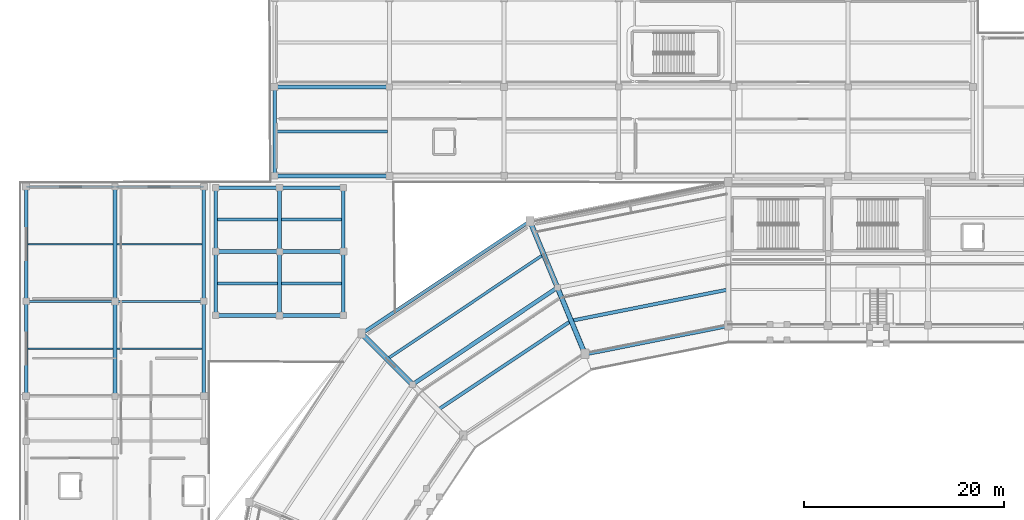
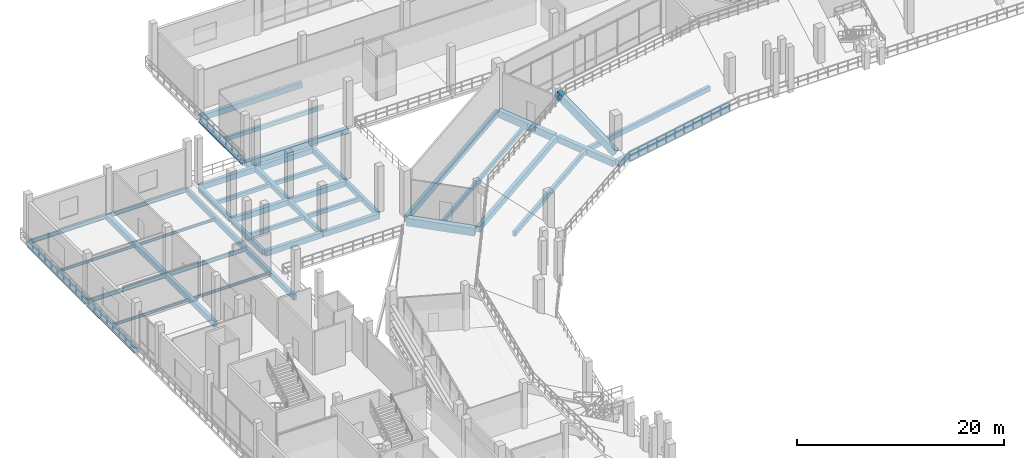
# One storey, part 46 of 127: 44 beams.
"""IFC4 building model written with IfcOpenShell, lengths in metres."""

from ifc_helpers import new_model, si_unit, direction, frame, origin, origin_2d, place, context, subcontext, project, spatial, rectangle, i_section, extrude, material, material_profile, profile_set, type_object, element, save


model = new_model("IFC4")

# Units and contexts
model_context = context("Model", 3, precision=1e-05, world=origin(), true_north=direction((0.0, 1.0)))
body_context = subcontext(model_context, "Body", "Model", "MODEL_VIEW")
ifc_project = project(units=[si_unit("LENGTHUNIT", "METRE"), si_unit("AREAUNIT", "SQUARE_METRE"), si_unit("VOLUMEUNIT", "CUBIC_METRE"), si_unit("PLANEANGLEUNIT", "RADIAN"), si_unit("MASSUNIT", "GRAM", prefix="KILO")], contexts=[model_context])

# Site, building, storey
site_placement = place(None, origin())
site = spatial("IfcSite", under=ifc_project, at=site_placement, CompositionType="ELEMENT")
building_placement = place(site_placement, origin())
building = spatial("IfcBuilding", under=site, at=building_placement, Name="Candeia Ridge Stadium", CompositionType="ELEMENT")
storey_placement = place(building_placement, frame((0.0, 0.0, 10.800048828125)))
storey = spatial("IfcBuildingStorey", under=building, at=storey_placement, Name="L02", CompositionType="ELEMENT", Elevation=10.800048828125)

# Beams
ifc_material_1 = material(Name="Concrete C45/55", Category="concrete")
ifc_material_profile_1 = material_profile(ifc_material_1, rectangle(XDim=0.5, YDim=0.89990234375, at=origin_2d()), Name="RC500x900", Category="concrete")
ifc_profile_set_1 = profile_set([ifc_material_profile_1], Name="Concrete C45/55")
beam_type_1 = type_object("IfcBeamType", Name="Club Stand Raker Beam RC500x900", PredefinedType="USERDEFINED", material=ifc_profile_set_1)
beam_1_placement = place(storey_placement, frame((56.611083984375, 129.73779296875, 0.624267578125), z_axis=(-0.332646014247, 0.80308399346, 0.494371043502), x_axis=(-0.923880454805, -0.382681205745, 0.0)))
element("IfcBeam", 1, at=beam_1_placement, inside=storey, type_object=beam_type_1, Name="Stand T2 inclined concrete raker beam 09", ObjectType="RAKER", PredefinedType="USERDEFINED", context=body_context, shape_type="SweptSolid", body=[
    extrude(rectangle(XDim=0.5, YDim=0.89990234375, at=origin_2d()), origin(), (0.0, 0.0, 1.0), 8.283203125),
])
ifc_material_2 = material(Name="Concrete C40/50", Category="concrete")
ifc_material_profile_2 = material_profile(ifc_material_2, rectangle(XDim=0.35009765625, YDim=0.550048828125, at=origin_2d()), Name="RC350x550", Category="concrete")
ifc_profile_set_2 = profile_set([ifc_material_profile_2], Name="Concrete C40/50")
beam_type_2 = type_object("IfcBeamType", Name="Concourse Concrete Joist RC350x550", PredefinedType="JOIST", material=ifc_profile_set_2)
beam_2_placement = place(storey_placement, frame((70.7822265625, 136.15673828125, -0.53515625), z_axis=(-0.980784984607, -0.195091809076, 0.0), x_axis=(0.195091809076, -0.980784984607, 0.0)))
element("IfcBeam", 2, at=beam_2_placement, inside=storey, type_object=beam_type_2, Name="Concourse secondary joist BM-L02-0346", PredefinedType="JOIST", context=body_context, shape_type="SweptSolid", body=[
    extrude(rectangle(XDim=0.35009765625, YDim=0.550048828125, at=origin_2d()), origin(), (0.0, 0.0, 1.0), 15.63134765625),
])
ifc_material_profile_3 = material_profile(ifc_material_2, rectangle(XDim=0.2900390625, YDim=0.469970703125, at=origin_2d()), Name="RC290x470", Category="concrete")
ifc_profile_set_3 = profile_set([ifc_material_profile_3], Name="Concrete C40/50")
beam_type_3 = type_object("IfcBeamType", Name="Floor Joist RC290x470", PredefinedType="JOIST", material=ifc_profile_set_3)
beam_3_placement = place(storey_placement, frame((52.29345703125, 139.592529296875, -0.4951171875), z_axis=(-0.831467306639, -0.555573683674, 0.0), x_axis=(0.555573683674, -0.831467306639, 0.0)))
element("IfcBeam", 3, at=beam_3_placement, inside=storey, type_object=beam_type_3, Name="Concourse secondary joist BM-L02-0352", PredefinedType="JOIST", context=body_context, shape_type="SweptSolid", body=[
    extrude(rectangle(XDim=0.2900390625, YDim=0.469970703125, at=origin_2d()), origin(), (0.0, 0.0, 1.0), 18.440673828125),
])
ifc_material_profile_4 = material_profile(ifc_material_2, rectangle(XDim=0.300048828125, YDim=0.449951171875, at=origin_2d()), Name="RC300x450", Category="concrete")
ifc_profile_set_4 = profile_set([ifc_material_profile_4], Name="Concrete C40/50")
beam_type_4 = type_object("IfcBeamType", Name="Floor Joist RC300x450", PredefinedType="JOIST", material=ifc_profile_set_4)
beam_4_placement = place(storey_placement, frame((25.674560546875, 152.050048828125, -0.485107421875), z_axis=(1.0, 0.0, 0.0), x_axis=(0.0, 1.0, 0.0)))
element("IfcBeam", 4, at=beam_4_placement, inside=storey, type_object=beam_type_4, Name="Wing secondary joist BM-L02-1705", PredefinedType="JOIST", context=body_context, shape_type="SweptSolid", body=[
    extrude(rectangle(XDim=0.300048828125, YDim=0.449951171875, at=origin_2d()), origin(), (0.0, 0.0, 1.0), 11.1259765625),
])
for number, where, z_axis, x_axis, name in (
    (5, (19.7744140625, 136.800048828125, -0.485107421875), (1.0, 0.0, 0.0), (0.0, 1.0, 0.0), "Wing secondary joist BM-L02-2221"),
    (6, (19.7744140625, 143.199951171875, -0.485107421875), (1.0, 0.0, 0.0), (0.0, 1.0, 0.0), "Wing secondary joist BM-L02-2223"),
    (7, (26.199462890625, 136.800048828125, -0.485107421875), (1.0, 0.0, 0.0), (0.0, 1.0, 0.0), "Wing secondary joist BM-L02-2226"),
    (8, (26.199462890625, 143.199951171875, -0.485107421875), (1.0, 0.0, 0.0), (0.0, 1.0, 0.0), "Wing secondary joist BM-L02-2228"),
):
    element("IfcBeam", number, at=place(storey_placement, frame(where, z_axis=z_axis, x_axis=x_axis)), inside=storey, type_object=beam_type_4, Name=name, PredefinedType="JOIST", context=body_context, shape_type="SweptSolid", body=[
        extrude(rectangle(XDim=0.300048828125, YDim=0.449951171875, at=origin_2d()), origin(), (0.0, 0.0, 1.0), 6.026123046875),
    ])
ifc_material_profile_5 = material_profile(ifc_material_2, rectangle(XDim=0.340087890625, YDim=0.5400390625, at=origin_2d()), Name="RC340x540", Category="concrete")
ifc_profile_set_5 = profile_set([ifc_material_profile_5], Name="Concrete C40/50")
beam_type_5 = type_object("IfcBeamType", Name="Floor Joist RC340x540", PredefinedType="JOIST", material=ifc_profile_set_5)
beam_5_placement = place(storey_placement, frame((55.048828125, 132.9404296875, -0.530029296875), z_axis=(-0.831470752017, -0.555568527312, 0.0), x_axis=(0.555568527312, -0.831470752017, 0.0)))
element("IfcBeam", 9, at=beam_5_placement, inside=storey, type_object=beam_type_5, Name="Concourse secondary joist BM-L02-0351", PredefinedType="JOIST", context=body_context, shape_type="SweptSolid", body=[
    extrude(rectangle(XDim=0.340087890625, YDim=0.5400390625, at=origin_2d()), origin(), (0.0, 0.0, 1.0), 15.63134765625),
])
ifc_material_profile_6 = material_profile(ifc_material_2, rectangle(XDim=0.39990234375, YDim=0.60009765625, at=origin_2d()), Name="RC400x600", Category="concrete")
ifc_profile_set_6 = profile_set([ifc_material_profile_6], Name="Concrete C40/50")
beam_type_6 = type_object("IfcBeamType", Name="Frame Girder RC400x600", PredefinedType="BEAM", material=ifc_profile_set_6)
for number, where, z_axis, x_axis, name in (
    (10, (26.0, 133.760009765625, -0.56005859375), (0.0, 1.0, 0.0), (-1.0, 0.0, 0.0), "Structural girder BM-L02-2216"),
    (11, (26.0, 140.159912109375, -0.56005859375), (0.0, 1.0, 0.0), (-1.0, 0.0, 0.0), "Structural girder BM-L02-2217"),
):
    element("IfcBeam", number, at=place(storey_placement, frame(where, z_axis=z_axis, x_axis=x_axis)), inside=storey, type_object=beam_type_6, Name=name, PredefinedType="BEAM", context=body_context, shape_type="SweptSolid", body=[
        extrude(rectangle(XDim=0.39990234375, YDim=0.60009765625, at=origin_2d()), origin(), (0.0, 0.0, 1.0), 6.080078125),
    ])
ifc_material_profile_7 = material_profile(ifc_material_2, rectangle(XDim=0.409912109375, YDim=0.659912109375, at=origin_2d()), Name="RC410x660", Category="concrete")
ifc_profile_set_7 = profile_set([ifc_material_profile_7], Name="Concrete C40/50")
beam_type_7 = type_object("IfcBeamType", Name="Frame Girder RC410x660", PredefinedType="BEAM", material=ifc_profile_set_7)
beam_6_placement = place(storey_placement, frame((53.72265625, 136.301025390625, -0.590087890625), z_axis=(-0.831467614091, -0.555573223542, 0.0), x_axis=(0.555573223542, -0.831467614091, 0.0)))
element("IfcBeam", 12, at=beam_6_placement, inside=storey, type_object=beam_type_7, Name="Concourse spine girder BM-L02-0349", PredefinedType="BEAM", context=body_context, shape_type="SweptSolid", body=[
    extrude(rectangle(XDim=0.409912109375, YDim=0.659912109375, at=origin_2d()), origin(), (0.0, 0.0, 1.0), 17.16015625),
])
ifc_material_profile_8 = material_profile(ifc_material_2, rectangle(XDim=0.43994140625, YDim=0.719970703125, at=origin_2d()), Name="RC440x720", Category="concrete")
ifc_profile_set_8 = profile_set([ifc_material_profile_8], Name="Concrete C40/50")
beam_type_8 = type_object("IfcBeamType", Name="Frame Girder RC440x720", PredefinedType="BEAM", material=ifc_profile_set_8)
beam_7_placement = place(storey_placement, frame((70.843017578125, 132.56884765625, -0.6201171875), z_axis=(-0.980783642657, -0.195098555341, 0.0), x_axis=(0.195098555341, -0.980783642657, 0.0)))
element("IfcBeam", 13, at=beam_7_placement, inside=storey, type_object=beam_type_8, Name="Bowl inner ring girder BM-L02-0343", PredefinedType="BEAM", context=body_context, shape_type="SweptSolid", body=[
    extrude(rectangle(XDim=0.43994140625, YDim=0.719970703125, at=origin_2d()), origin(), (0.0, 0.0, 1.0), 14.350830078125),
])
ifc_material_profile_9 = material_profile(ifc_material_2, rectangle(XDim=0.469970703125, YDim=0.760009765625, at=origin_2d()), Name="RC470x760", Category="concrete")
ifc_profile_set_9 = profile_set([ifc_material_profile_9], Name="Concrete C40/50")
beam_type_9 = type_object("IfcBeamType", Name="Frame Girder RC470x760", PredefinedType="BEAM", material=ifc_profile_set_9)
beam_8_placement = place(storey_placement, frame((56.5498046875, 129.8857421875, -0.64013671875), z_axis=(-0.382681914982, 0.923880161031, 0.0), x_axis=(-0.923880161031, -0.382681914982, 0.0)))
element("IfcBeam", 14, at=beam_8_placement, inside=storey, type_object=beam_type_9, Name="Bowl radial girder BM-L02-0257", PredefinedType="BEAM", context=body_context, shape_type="SweptSolid", body=[
    extrude(rectangle(XDim=0.469970703125, YDim=0.760009765625, at=origin_2d()), origin(), (0.0, 0.0, 1.0), 6.8798828125),
])
ifc_material_profile_10 = material_profile(ifc_material_1, rectangle(XDim=0.5, YDim=0.85009765625, at=origin_2d()), Name="RC500x850", Category="concrete")
ifc_profile_set_10 = profile_set([ifc_material_profile_10], Name="Concrete C45/55")
beam_type_10 = type_object("IfcBeamType", Name="Frame Girder RC500x850", PredefinedType="BEAM", material=ifc_profile_set_10)
beam_9_placement = place(storey_placement, frame((53.79443359375, 136.53759765625, -0.68505859375), z_axis=(-0.382681914982, 0.923880161031, 0.0), x_axis=(-0.923880161031, -0.382681914982, 0.0)))
element("IfcBeam", 15, at=beam_9_placement, inside=storey, type_object=beam_type_10, Name="Bowl radial girder BM-L02-0258", PredefinedType="BEAM", context=body_context, shape_type="SweptSolid", body=[
    extrude(rectangle(XDim=0.5, YDim=0.85009765625, at=origin_2d()), origin(), (0.0, 0.0, 1.0), 6.8798828125),
])
ifc_material_profile_11 = material_profile(ifc_material_1, rectangle(XDim=0.550048828125, YDim=0.919921875, at=origin_2d()), Name="RC550x920", Category="concrete")
ifc_profile_set_11 = profile_set([ifc_material_profile_11], Name="Concrete C45/55")
beam_type_11 = type_object("IfcBeamType", Name="Frame Girder RC550x920", PredefinedType="BEAM", material=ifc_profile_set_11)
beam_10_placement = place(storey_placement, frame((39.20849609375, 126.79150390625, -0.719970703125), z_axis=(-0.707106781187, 0.707106781187, 0.0), x_axis=(-0.707106781187, -0.707106781187, 0.0)))
element("IfcBeam", 16, at=beam_10_placement, inside=storey, type_object=beam_type_11, Name="Bowl radial girder BM-L02-0260", PredefinedType="BEAM", context=body_context, shape_type="SweptSolid", body=[
    extrude(rectangle(XDim=0.550048828125, YDim=0.919921875, at=origin_2d()), origin(), (0.0, 0.0, 1.0), 6.880126953125),
])
ifc_material_3 = material(Name="Steel ASTM A572 Grade 50", Category="steel")
ifc_material_profile_12 = material_profile(ifc_material_3, i_section(OverallWidth=0.1669921875, OverallDepth=0.31689453125, WebThickness=0.007568359375, FlangeThickness=0.01318359375, FilletRadius=0.011962890625, at=origin_2d()), Name="W310x52", Category="steel")
ifc_profile_set_12 = profile_set([ifc_material_profile_12], Name="Steel ASTM A572 Grade 50")
beam_type_12 = type_object("IfcBeamType", Name="Pavilion Secondary Joist W310x52", PredefinedType="JOIST", material=ifc_profile_set_12)
for number, where, z_axis, x_axis, name in (
    (17, (0.7744140625, 130.25, -0.41845703125), (1.0, 0.0, 0.0), (0.0, 1.0, 0.0), "Wing secondary joist BM-L02-1165"),
    (18, (0.7744140625, 140.75, -0.41845703125), (1.0, 0.0, 0.0), (0.0, 1.0, 0.0), "Wing secondary joist BM-L02-1167"),
    (19, (9.699462890625, 130.25, -0.41845703125), (1.0, 0.0, 0.0), (0.0, 1.0, 0.0), "Wing secondary joist BM-L02-1189"),
    (20, (9.699462890625, 140.75, -0.41845703125), (1.0, 0.0, 0.0), (0.0, 1.0, 0.0), "Wing secondary joist BM-L02-1191"),
):
    element("IfcBeam", number, at=place(storey_placement, frame(where, z_axis=z_axis, x_axis=x_axis)), inside=storey, type_object=beam_type_12, Name=name, PredefinedType="JOIST", context=body_context, shape_type="SweptSolid", body=[
        extrude(i_section(OverallWidth=0.1669921875, OverallDepth=0.31689453125, WebThickness=0.007568359375, FlangeThickness=0.01318359375, FilletRadius=0.011962890625, at=origin_2d()), origin(), (0.0, 0.0, 1.0), 8.526123046875),
    ])
ifc_material_profile_13 = material_profile(ifc_material_3, i_section(OverallWidth=0.18994140625, OverallDepth=0.45703125, WebThickness=0.009033203125, FlangeThickness=0.014404296875, FilletRadius=0.012939453125, at=origin_2d()), Name="W460x74", Category="steel")
ifc_profile_set_13 = profile_set([ifc_material_profile_13], Name="Steel ASTM A572 Grade 50")
beam_type_13 = type_object("IfcBeamType", Name="Pavilion Steel Girder W460x74", PredefinedType="BEAM", material=ifc_profile_set_13)
for number, where, z_axis, x_axis, name in (
    (21, (0.64990234375, 135.0, -0.488525390625), (1.0, 0.0, 0.0), (0.0, 1.0, 0.0), "Structural girder BM-L02-1166"),
    (22, (0.64990234375, 146.5, -0.488525390625), (1.0, 0.0, 0.0), (0.0, 1.0, 0.0), "Structural girder BM-L02-1168"),
    (23, (9.550048828125, 135.0, -0.488525390625), (1.0, 0.0, 0.0), (0.0, 1.0, 0.0), "Structural girder BM-L02-1190"),
    (24, (9.550048828125, 146.5, -0.488525390625), (1.0, 0.0, 0.0), (0.0, 1.0, 0.0), "Structural girder BM-L02-1192"),
):
    element("IfcBeam", number, at=place(storey_placement, frame(where, z_axis=z_axis, x_axis=x_axis)), inside=storey, type_object=beam_type_13, Name=name, PredefinedType="BEAM", context=body_context, shape_type="SweptSolid", body=[
        extrude(i_section(OverallWidth=0.18994140625, OverallDepth=0.45703125, WebThickness=0.009033203125, FlangeThickness=0.014404296875, FilletRadius=0.012939453125, at=origin_2d()), origin(), (0.0, 0.0, 1.0), 8.800048828125),
    ])
ifc_material_profile_14 = material_profile(ifc_material_2, rectangle(XDim=0.35009765625, YDim=0.64990234375, at=origin_2d()), Name="RC350x650", Category="concrete")
ifc_profile_set_14 = profile_set([ifc_material_profile_14], Name="Concrete C40/50")
beam_type_14 = type_object("IfcBeamType", Name="Spandrel Beam RC350x650", PredefinedType="SPANDREL", material=ifc_profile_set_14)
beam_11_placement = place(storey_placement, frame((0.60009765625, 125.659912109375, -0.5849609375), z_axis=(0.0, 1.0, 0.0), x_axis=(-1.0, 0.0, 0.0)))
element("IfcBeam", 25, at=beam_11_placement, inside=storey, type_object=beam_type_14, Name="Structural girder BM-L02-1125", PredefinedType="SPANDREL", context=body_context, shape_type="SweptSolid", body=[
    extrude(rectangle(XDim=0.35009765625, YDim=0.64990234375, at=origin_2d()), origin(), (0.0, 0.0, 1.0), 9.18017578125),
])
beam_12_placement = place(storey_placement, frame((0.60009765625, 135.159912109375, -0.5849609375), z_axis=(0.0, 1.0, 0.0), x_axis=(-1.0, 0.0, 0.0)))
element("IfcBeam", 26, at=beam_12_placement, inside=storey, type_object=beam_type_14, Name="Structural girder BM-L02-1126", PredefinedType="SPANDREL", context=body_context, shape_type="SweptSolid", body=[
    extrude(rectangle(XDim=0.35009765625, YDim=0.64990234375, at=origin_2d()), origin(), (0.0, 0.0, 1.0), 11.18017578125),
])
beam_13_placement = place(storey_placement, frame((18.39990234375, 125.659912109375, -0.5849609375), z_axis=(0.0, 1.0, 0.0), x_axis=(-1.0, 0.0, 0.0)))
element("IfcBeam", 27, at=beam_13_placement, inside=storey, type_object=beam_type_14, Name="Structural girder BM-L02-1149", PredefinedType="SPANDREL", context=body_context, shape_type="SweptSolid", body=[
    extrude(rectangle(XDim=0.35009765625, YDim=0.64990234375, at=origin_2d()), origin(), (0.0, 0.0, 1.0), 9.18017578125),
])
beam_14_placement = place(storey_placement, frame((18.39990234375, 135.159912109375, -0.5849609375), z_axis=(0.0, 1.0, 0.0), x_axis=(-1.0, 0.0, 0.0)))
element("IfcBeam", 28, at=beam_14_placement, inside=storey, type_object=beam_type_14, Name="Structural girder BM-L02-1150", PredefinedType="SPANDREL", context=body_context, shape_type="SweptSolid", body=[
    extrude(rectangle(XDim=0.35009765625, YDim=0.64990234375, at=origin_2d()), origin(), (0.0, 0.0, 1.0), 11.18017578125),
])
beam_15_placement = place(storey_placement, frame((25.5, 147.760009765625, -0.5849609375), z_axis=(0.0, 1.0, 0.0), x_axis=(-1.0, 0.0, 0.0)))
element("IfcBeam", 29, at=beam_15_placement, inside=storey, type_object=beam_type_14, Name="Structural girder BM-L02-1690", PredefinedType="SPANDREL", context=body_context, shape_type="SweptSolid", body=[
    extrude(rectangle(XDim=0.35009765625, YDim=0.64990234375, at=origin_2d()), origin(), (0.0, 0.0, 1.0), 8.580078125),
])
for number, where, z_axis, x_axis, name in (
    (30, (19.60009765625, 133.760009765625, -0.5849609375), (0.0, 1.0, 0.0), (-1.0, 0.0, 0.0), "Structural girder BM-L02-2214"),
    (31, (19.60009765625, 140.159912109375, -0.5849609375), (0.0, 1.0, 0.0), (-1.0, 0.0, 0.0), "Structural girder BM-L02-2215"),
    (32, (32.39990234375, 133.760009765625, -0.5849609375), (0.0, 1.0, 0.0), (-1.0, 0.0, 0.0), "Structural girder BM-L02-2218"),
    (33, (32.39990234375, 140.159912109375, -0.5849609375), (0.0, 1.0, 0.0), (-1.0, 0.0, 0.0), "Structural girder BM-L02-2219"),
):
    element("IfcBeam", number, at=place(storey_placement, frame(where, z_axis=z_axis, x_axis=x_axis)), inside=storey, type_object=beam_type_14, Name=name, PredefinedType="SPANDREL", context=body_context, shape_type="SweptSolid", body=[
        extrude(rectangle(XDim=0.35009765625, YDim=0.64990234375, at=origin_2d()), origin(), (0.0, 0.0, 1.0), 6.080078125),
    ])
ifc_material_profile_15 = material_profile(ifc_material_1, rectangle(XDim=0.35009765625, YDim=0.75, at=origin_2d()), Name="RC350x750", Category="concrete")
ifc_profile_set_15 = profile_set([ifc_material_profile_15], Name="Concrete C45/55")
beam_type_15 = type_object("IfcBeamType", Name="Spandrel Beam RC350x750", PredefinedType="SPANDREL", material=ifc_profile_set_15)
beam_16_placement = place(storey_placement, frame((50.967529296875, 142.952880859375, -0.635009765625), z_axis=(-0.831468647505, -0.555571676938, 0.0), x_axis=(0.555571676938, -0.831468647505, 0.0)))
element("IfcBeam", 34, at=beam_16_placement, inside=storey, type_object=beam_type_15, Name="Bowl perimeter spandrel BM-L02-0350", PredefinedType="SPANDREL", context=body_context, shape_type="SweptSolid", body=[
    extrude(rectangle(XDim=0.35009765625, YDim=0.75, at=origin_2d()), origin(), (0.0, 0.0, 1.0), 19.969482421875),
])
ifc_material_profile_16 = material_profile(ifc_material_2, rectangle(XDim=0.39990234375, YDim=0.64990234375, at=origin_2d()), Name="RC400x650", Category="concrete")
ifc_profile_set_16 = profile_set([ifc_material_profile_16], Name="Concrete C40/50")
beam_type_16 = type_object("IfcBeamType", Name="Wing Primary Girder RC400x650", PredefinedType="BEAM", material=ifc_profile_set_16)
beam_17_placement = place(storey_placement, frame((9.5, 125.550048828125, -0.5849609375), z_axis=(0.0, 1.0, 0.0), x_axis=(-1.0, 0.0, 0.0)))
element("IfcBeam", 35, at=beam_17_placement, inside=storey, type_object=beam_type_16, Name="Structural girder BM-L02-1137", PredefinedType="BEAM", context=body_context, shape_type="SweptSolid", body=[
    extrude(rectangle(XDim=0.39990234375, YDim=0.64990234375, at=origin_2d()), origin(), (0.0, 0.0, 1.0), 9.39990234375),
])
for number, where, z_axis, x_axis, name in (
    (36, (9.5, 135.050048828125, -0.5849609375), (0.0, 1.0, 0.0), (-1.0, 0.0, 0.0), "Structural girder BM-L02-1138"),
    (37, (25.550048828125, 147.60009765625, -0.5849609375), (1.0, 0.0, 0.0), (0.0, 1.0, 0.0), "Structural girder BM-L02-1704"),
    (38, (25.550048828125, 156.5, -0.5849609375), (1.0, 0.0, 0.0), (0.0, 1.0, 0.0), "Structural girder BM-L02-1706"),
):
    element("IfcBeam", number, at=place(storey_placement, frame(where, z_axis=z_axis, x_axis=x_axis)), inside=storey, type_object=beam_type_16, Name=name, PredefinedType="BEAM", context=body_context, shape_type="SweptSolid", body=[
        extrude(rectangle(XDim=0.39990234375, YDim=0.64990234375, at=origin_2d()), origin(), (0.0, 0.0, 1.0), 11.39990234375),
    ])
for number, where, z_axis, x_axis, name in (
    (39, (19.64990234375, 133.60009765625, -0.5849609375), (1.0, 0.0, 0.0), (0.0, 1.0, 0.0), "Structural girder BM-L02-2220"),
    (40, (19.64990234375, 140.0, -0.5849609375), (1.0, 0.0, 0.0), (0.0, 1.0, 0.0), "Structural girder BM-L02-2222"),
    (41, (19.64990234375, 146.39990234375, -0.5849609375), (1.0, 0.0, 0.0), (0.0, 1.0, 0.0), "Structural girder BM-L02-2224"),
    (42, (26.050048828125, 133.60009765625, -0.5849609375), (1.0, 0.0, 0.0), (0.0, 1.0, 0.0), "Structural girder BM-L02-2225"),
    (43, (26.050048828125, 140.0, -0.5849609375), (1.0, 0.0, 0.0), (0.0, 1.0, 0.0), "Structural girder BM-L02-2227"),
    (44, (26.050048828125, 146.39990234375, -0.5849609375), (1.0, 0.0, 0.0), (0.0, 1.0, 0.0), "Structural girder BM-L02-2229"),
):
    element("IfcBeam", number, at=place(storey_placement, frame(where, z_axis=z_axis, x_axis=x_axis)), inside=storey, type_object=beam_type_16, Name=name, PredefinedType="BEAM", context=body_context, shape_type="SweptSolid", body=[
        extrude(rectangle(XDim=0.39990234375, YDim=0.64990234375, at=origin_2d()), origin(), (0.0, 0.0, 1.0), 6.300048828125),
    ])

save(model, "model.ifc")
